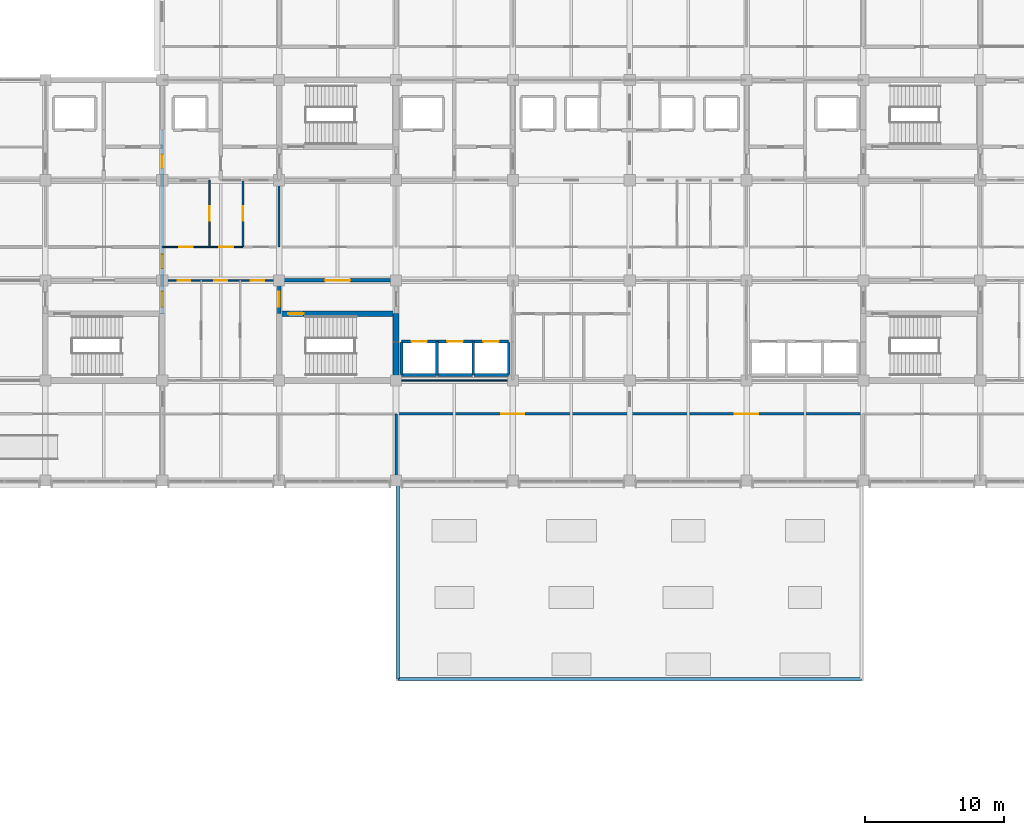
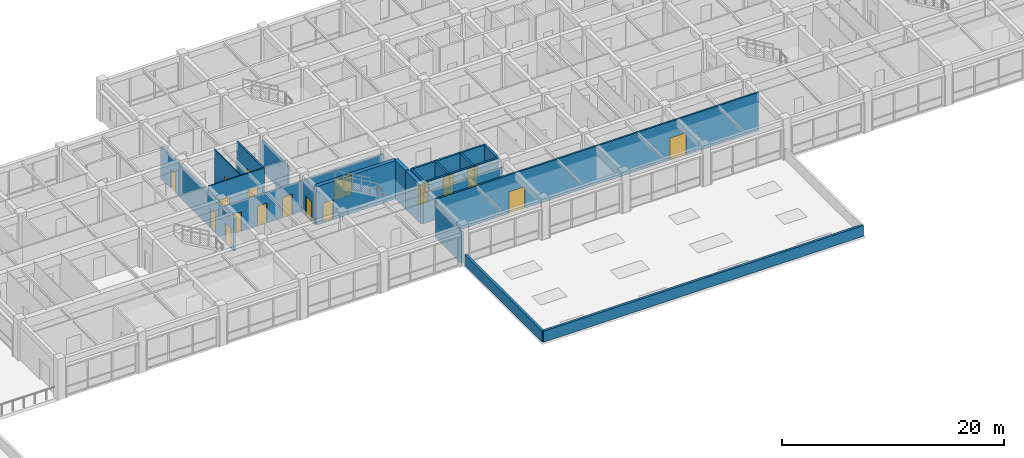
# One storey, part 21 of 40: 24 walls, 18 doors, 18 openings.
"""IFC4 building model written with IfcOpenShell, lengths in metres."""

from ifc_helpers import new_model, si_unit, direction, frame, frame_2d, origin, place, context, subcontext, project, spatial, rectangle, extrude, material, layer, layer_set, type_object, element, fill, save


model = new_model("IFC4")

# Units and contexts
model_context = context("Model", 3, precision=1e-05, world=origin(), true_north=direction((0.0, 1.0)))
body_context = subcontext(model_context, "Body", "Model", "MODEL_VIEW")
ifc_project = project(units=[si_unit("LENGTHUNIT", "METRE"), si_unit("AREAUNIT", "SQUARE_METRE"), si_unit("VOLUMEUNIT", "CUBIC_METRE"), si_unit("PLANEANGLEUNIT", "RADIAN"), si_unit("MASSUNIT", "GRAM", prefix="KILO")], contexts=[model_context])

# Site, building, storey
site_placement = place(None, origin())
site = spatial("IfcSite", under=ifc_project, at=site_placement, CompositionType="ELEMENT")
building_placement = place(site_placement, origin())
building = spatial("IfcBuilding", under=site, at=building_placement, Name="Chengyuan Square Courthouse", CompositionType="ELEMENT")
storey_placement = place(building_placement, frame((0.0, 0.0, 21.60009765625)))
storey = spatial("IfcBuildingStorey", under=building, at=storey_placement, Name="L05", CompositionType="ELEMENT", Elevation=21.60009765625)

# Wall, opening, door
ifc_material_1 = material(Name="Concrete C40", Category="concrete")
ifc_layer_1 = layer(ifc_material_1, 0.25)
ifc_layer_set_1 = layer_set([ifc_layer_1], Name="Concrete C40")
wall_type_1 = type_object("IfcWallType", Name="WL-FW1", PredefinedType="STANDARD", material=ifc_layer_set_1)
wall_1_placement = place(storey_placement, frame((58.800048828125, 93.60009765625, 0.0), z_axis=(0.0, 0.0, 1.0), x_axis=(1.0, 0.0, 0.0)))
wall_1 = element("IfcWall", 1, at=wall_1_placement, inside=storey, type_object=wall_type_1, Name="Interior Wall WL-L05-I2137", PredefinedType="STANDARD", context=body_context, shape_type="SweptSolid", body=[
    extrude(rectangle(XDim=8.39990234375, YDim=0.25, at=frame_2d((4.199951171875, 0.0))), origin(), (0.0, 0.0, 1.0), 3.389892578125),
])
opening_1_placement = place(wall_1_placement, frame((3.300048828125, 0.0, 0.0)))
opening_1 = element("IfcOpeningElement", 2, at=opening_1_placement, cuts=wall_1, Name="Opening DR-1932", PredefinedType="OPENING", context=body_context, shape_type="SweptSolid", body=[
    extrude(rectangle(XDim=1.800048828125, YDim=2.35009765625, at=frame_2d((0.89990234375, 1.175048828125))), frame((0.0, 0.136962890625, 0.0), z_axis=(0.0, -1.0, 0.0), x_axis=(1.0, 0.0, 0.0)), (0.0, 0.0, 1.0), 0.27392578125),
])
ifc_material_2 = material(Name="Steel Q235B Glazed Fire Door", Category="steel")
door_type_1 = type_object("IfcDoorType", Name="DT-18", OperationType="DOUBLE_DOOR_SINGLE_SWING", PredefinedType="DOOR", material=ifc_material_2)
door_1_placement = place(opening_1_placement, frame((1.800048828125, 0.0, 0.0), z_axis=(0.0, 0.0, 1.0), x_axis=(-1.0, 0.0, 0.0)))
door_1 = element("IfcDoor", 3, at=door_1_placement, inside=storey, type_object=door_type_1, Name="Interior Door DR-1932", OperationType="DOUBLE_DOOR_SINGLE_SWING", OverallHeight=2.35009765625, OverallWidth=1.800048828125, PredefinedType="DOOR", context=body_context, shape_type="SweptSolid", body=[
    extrude(rectangle(XDim=1.800048828125, YDim=2.35009765625, at=frame_2d((0.89990234375, 1.175048828125))), frame((0.0, 0.02490234375, 0.0), z_axis=(0.0, -1.0, 0.0), x_axis=(1.0, 0.0, 0.0)), (0.0, 0.0, 1.0), 0.050048828125),
])
fill(opening_1, door_1)

# Wall, openings, doors
wall_2_placement = place(storey_placement, frame((50.39990234375, 91.199951171875, 0.0), z_axis=(0.0, 0.0, 1.0), x_axis=(0.0, 1.0, 0.0)))
wall_2 = element("IfcWall", 4, at=wall_2_placement, inside=storey, type_object=wall_type_1, Name="Interior Wall WL-L05-I2242", PredefinedType="STANDARD", context=body_context, shape_type="SweptSolid", body=[
    extrude(rectangle(XDim=13.199951171875, YDim=0.25, at=frame_2d((6.60009765625, 0.0))), origin(), (0.0, 0.0, 1.0), 3.489990234375),
])
opening_2_placement = place(wall_2_placement, frame((0.489990234375, 0.0, 0.0)))
opening_2 = element("IfcOpeningElement", 5, at=opening_2_placement, cuts=wall_2, Name="Opening DR-1939", PredefinedType="OPENING", context=body_context, shape_type="SweptSolid", body=[
    extrude(rectangle(XDim=1.10009765625, YDim=2.199951171875, at=frame_2d((0.550048828125, 1.10009765625))), frame((0.0, 0.136962890625, 0.0), z_axis=(0.0, -1.0, 0.0), x_axis=(1.0, 0.0, 0.0)), (0.0, 0.0, 1.0), 0.27392578125),
])
opening_3_placement = place(wall_2_placement, frame((10.485107421875, 0.0, 0.0)))
opening_3 = element("IfcOpeningElement", 6, at=opening_3_placement, cuts=wall_2, Name="Opening DR-1956", PredefinedType="OPENING", context=body_context, shape_type="SweptSolid", body=[
    extrude(rectangle(XDim=0.949951171875, YDim=2.14990234375, at=frame_2d((0.47509765625, 1.074951171875))), frame((0.0, 0.136962890625, 0.0), z_axis=(0.0, -1.0, 0.0), x_axis=(1.0, 0.0, 0.0)), (0.0, 0.0, 1.0), 0.27392578125),
])
opening_4_placement = place(wall_2_placement, frame((3.260009765625, 0.0, 0.0)))
opening_4 = element("IfcOpeningElement", 7, at=opening_4_placement, cuts=wall_2, Name="Opening DR-2003", PredefinedType="OPENING", context=body_context, shape_type="SweptSolid", body=[
    extrude(rectangle(XDim=1.0, YDim=2.199951171875, at=frame_2d((0.5, 1.10009765625))), frame((0.0, 0.136962890625, 0.0), z_axis=(0.0, -1.0, 0.0), x_axis=(1.0, 0.0, 0.0)), (0.0, 0.0, 1.0), 0.27392578125),
])
ifc_material_3 = material(Name="Steel Q235B Fire Door", Category="steel")
door_type_2 = type_object("IfcDoorType", Name="DT-10", OperationType="NOTDEFINED", PredefinedType="DOOR", material=ifc_material_3)
door_2_placement = place(opening_2_placement, origin())
door_2 = element("IfcDoor", 8, at=door_2_placement, inside=storey, type_object=door_type_2, Name="Interior Door DR-1939", OperationType="SINGLE_SWING_LEFT", OverallHeight=2.199951171875, OverallWidth=1.10009765625, PredefinedType="DOOR", context=body_context, shape_type="SweptSolid", body=[
    extrude(rectangle(XDim=1.10009765625, YDim=2.199951171875, at=frame_2d((0.550048828125, 1.10009765625))), frame((0.0, 0.02490234375, 0.0), z_axis=(0.0, -1.0, 0.0), x_axis=(1.0, 0.0, 0.0)), (0.0, 0.0, 1.0), 0.050048828125),
])
fill(opening_2, door_2)
door_type_3 = type_object("IfcDoorType", Name="DT-11", OperationType="NOTDEFINED", PredefinedType="DOOR", material=ifc_material_3)
door_3_placement = place(opening_4_placement, origin())
door_3 = element("IfcDoor", 9, at=door_3_placement, inside=storey, type_object=door_type_3, Name="Interior Door DR-2003", OperationType="SINGLE_SWING_RIGHT", OverallHeight=2.199951171875, OverallWidth=1.0, PredefinedType="DOOR", context=body_context, shape_type="SweptSolid", body=[
    extrude(rectangle(XDim=1.0, YDim=2.199951171875, at=frame_2d((0.5, 1.10009765625))), frame((0.0, 0.02490234375, 0.0), z_axis=(0.0, -1.0, 0.0), x_axis=(1.0, 0.0, 0.0)), (0.0, 0.0, 1.0), 0.050048828125),
])
fill(opening_4, door_3)
door_type_4 = type_object("IfcDoorType", Name="DT-12", OperationType="NOTDEFINED", PredefinedType="DOOR", material=ifc_material_3)
door_4_placement = place(opening_3_placement, origin())
door_4 = element("IfcDoor", 10, at=door_4_placement, inside=storey, type_object=door_type_4, Name="Interior Door DR-1956", OperationType="SINGLE_SWING_LEFT", OverallHeight=2.14990234375, OverallWidth=0.949951171875, PredefinedType="DOOR", context=body_context, shape_type="SweptSolid", body=[
    extrude(rectangle(XDim=0.949951171875, YDim=2.14990234375, at=frame_2d((0.47509765625, 1.074951171875))), frame((0.0, 0.02490234375, 0.0), z_axis=(0.0, -1.0, 0.0), x_axis=(1.0, 0.0, 0.0)), (0.0, 0.0, 1.0), 0.050048828125),
])
fill(opening_3, door_4)

# Wall, opening, door
wall_3_placement = place(storey_placement, frame((58.800048828125, 91.199951171875, 0.0), z_axis=(0.0, 0.0, 1.0), x_axis=(0.0, 1.0, 0.0)))
wall_3 = element("IfcWall", 11, at=wall_3_placement, inside=storey, type_object=wall_type_1, Name="Interior Wall WL-L05-I2254", PredefinedType="STANDARD", context=body_context, shape_type="SweptSolid", body=[
    extrude(rectangle(XDim=2.400146484375, YDim=0.25, at=frame_2d((1.2001953125, 0.0))), origin(), (0.0, 0.0, 1.0), 3.489990234375),
])
opening_5_placement = place(wall_3_placement, frame((0.489990234375, 0.0, 0.0)))
opening_5 = element("IfcOpeningElement", 12, at=opening_5_placement, cuts=wall_3, Name="Opening DR-1933", PredefinedType="OPENING", context=body_context, shape_type="SweptSolid", body=[
    extrude(rectangle(XDim=1.10009765625, YDim=2.199951171875, at=frame_2d((0.550048828125, 1.10009765625))), frame((0.0, 0.136962890625, 0.0), z_axis=(0.0, -1.0, 0.0), x_axis=(1.0, 0.0, 0.0)), (0.0, 0.0, 1.0), 0.27392578125),
])
door_5_placement = place(opening_5_placement, origin())
door_5 = element("IfcDoor", 13, at=door_5_placement, inside=storey, type_object=door_type_2, Name="Interior Door DR-1933", OperationType="SINGLE_SWING_LEFT", OverallHeight=2.199951171875, OverallWidth=1.10009765625, PredefinedType="DOOR", context=body_context, shape_type="SweptSolid", body=[
    extrude(rectangle(XDim=1.10009765625, YDim=2.199951171875, at=frame_2d((0.550048828125, 1.10009765625))), frame((0.0, 0.02490234375, 0.0), z_axis=(0.0, -1.0, 0.0), x_axis=(1.0, 0.0, 0.0)), (0.0, 0.0, 1.0), 0.050048828125),
])
fill(opening_5, door_5)

# Walls
ifc_layer_2 = layer(ifc_material_1, 0.239990234375)
ifc_layer_set_2 = layer_set([ifc_layer_2], Name="Concrete C40")
wall_type_2 = type_object("IfcWallType", Name="WL-PR2", PredefinedType="PARAPET", material=ifc_layer_set_2)
wall_4_placement = place(storey_placement, frame((67.340087890625, 64.93994140625, 0.0), z_axis=(0.0, 0.0, 1.0), x_axis=(1.0, 0.0, 0.0)))
element("IfcWall", 14, at=wall_4_placement, inside=storey, type_object=wall_type_2, Name="Roof Parapet Wall PAR-L05-012", PredefinedType="PARAPET", context=body_context, shape_type="SweptSolid", body=[
    extrude(rectangle(XDim=33.31982421875, YDim=0.239990234375, at=frame_2d((16.659912109375, 0.0))), origin(), (0.0, 0.0, 1.0), 1.199951171875),
])
wall_5_placement = place(storey_placement, frame((67.340087890625, 78.89990234375, 0.0), z_axis=(0.0, 0.0, 1.0), x_axis=(0.0, -1.0, 0.0)))
element("IfcWall", 15, at=wall_5_placement, inside=storey, type_object=wall_type_2, Name="Roof Parapet Wall PAR-L05-014", PredefinedType="PARAPET", context=body_context, shape_type="SweptSolid", body=[
    extrude(rectangle(XDim=13.9599609375, YDim=0.239990234375, at=frame_2d((6.97998046875, 0.0))), origin(), (0.0, 0.0, 1.0), 1.199951171875),
])

# Wall, openings, doors
ifc_material_4 = material(Name="Double-Stud Acoustic Gypsum Courtroom Partition")
ifc_layer_3 = layer(ifc_material_4, 0.179931640625)
ifc_layer_set_3 = layer_set([ifc_layer_3], Name="Double-Stud Acoustic Gypsum Courtroom Partition")
wall_type_3 = type_object("IfcWallType", Name="WL-PT1", PredefinedType="STANDARD", material=ifc_layer_set_3)
wall_6_placement = place(storey_placement, frame((67.199951171875, 84.0, 0.0), z_axis=(0.0, 0.0, 1.0), x_axis=(1.0, 0.0, 0.0)))
wall_6 = element("IfcWall", 16, at=wall_6_placement, inside=storey, type_object=wall_type_3, Name="Interior Wall WL-L05-I2105", PredefinedType="STANDARD", context=body_context, shape_type="SweptSolid", body=[
    extrude(rectangle(XDim=33.60009765625, YDim=0.179931640625, at=frame_2d((16.800048828125, 0.0))), origin(), (0.0, 0.0, 1.0), 4.239990234375),
])
opening_6_placement = place(wall_6_placement, frame((7.574951171875, 0.0, 0.0)))
opening_6 = element("IfcOpeningElement", 17, at=opening_6_placement, cuts=wall_6, Name="Opening DR-2102", PredefinedType="OPENING", context=body_context, shape_type="SweptSolid", body=[
    extrude(rectangle(XDim=1.64990234375, YDim=2.39990234375, at=frame_2d((0.824951171875, 1.199951171875))), frame((0.0, 0.10205078125, 0.0), z_axis=(0.0, -1.0, 0.0), x_axis=(1.0, 0.0, 0.0)), (0.0, 0.0, 1.0), 0.203857421875),
])
opening_7_placement = place(wall_6_placement, frame((24.35009765625, 0.0, 0.0)))
opening_7 = element("IfcOpeningElement", 18, at=opening_7_placement, cuts=wall_6, Name="Opening DR-2104", PredefinedType="OPENING", context=body_context, shape_type="SweptSolid", body=[
    extrude(rectangle(XDim=1.699951171875, YDim=2.449951171875, at=frame_2d((0.85009765625, 1.22509765625))), frame((0.0, 0.10205078125, 0.0), z_axis=(0.0, -1.0, 0.0), x_axis=(1.0, 0.0, 0.0)), (0.0, 0.0, 1.0), 0.203857421875),
])
ifc_material_5 = material(Name="Acoustic Larch Veneer Double Door")
door_type_5 = type_object("IfcDoorType", Name="DT-22", OperationType="DOUBLE_DOOR_SINGLE_SWING", PredefinedType="DOOR", material=ifc_material_5)
door_6_placement = place(opening_6_placement, frame((1.64990234375, 0.0, 0.0), z_axis=(0.0, 0.0, 1.0), x_axis=(-1.0, 0.0, 0.0)))
door_6 = element("IfcDoor", 19, at=door_6_placement, inside=storey, type_object=door_type_5, Name="Interior Door DR-2102", OperationType="DOUBLE_DOOR_SINGLE_SWING", OverallHeight=2.39990234375, OverallWidth=1.64990234375, PredefinedType="DOOR", context=body_context, shape_type="SweptSolid", body=[
    extrude(rectangle(XDim=1.64990234375, YDim=2.39990234375, at=frame_2d((0.824951171875, 1.199951171875))), frame((0.0, 0.02490234375, 0.0), z_axis=(0.0, -1.0, 0.0), x_axis=(1.0, 0.0, 0.0)), (0.0, 0.0, 1.0), 0.050048828125),
])
fill(opening_6, door_6)
door_type_6 = type_object("IfcDoorType", Name="DT-24", OperationType="DOUBLE_DOOR_SINGLE_SWING", PredefinedType="DOOR", material=ifc_material_5)
door_7_placement = place(opening_7_placement, frame((1.699951171875, 0.0, 0.0), z_axis=(0.0, 0.0, 1.0), x_axis=(-1.0, 0.0, 0.0)))
door_7 = element("IfcDoor", 20, at=door_7_placement, inside=storey, type_object=door_type_6, Name="Interior Door DR-2104", OperationType="DOUBLE_DOOR_SINGLE_SWING", OverallHeight=2.449951171875, OverallWidth=1.699951171875, PredefinedType="DOOR", context=body_context, shape_type="SweptSolid", body=[
    extrude(rectangle(XDim=1.699951171875, YDim=2.449951171875, at=frame_2d((0.85009765625, 1.22509765625))), frame((0.0, 0.02490234375, 0.0), z_axis=(0.0, -1.0, 0.0), x_axis=(1.0, 0.0, 0.0)), (0.0, 0.0, 1.0), 0.050048828125),
])
fill(opening_7, door_7)

# Wall
wall_7_placement = place(storey_placement, frame((67.199951171875, 79.239990234375, 0.0), z_axis=(0.0, 0.0, 1.0), x_axis=(0.0, 1.0, 0.0)))
element("IfcWall", 21, at=wall_7_placement, inside=storey, type_object=wall_type_3, Name="Interior Wall WL-L05-I2259", PredefinedType="STANDARD", context=body_context, shape_type="SweptSolid", body=[
    extrude(rectangle(XDim=4.760009765625, YDim=0.179931640625, at=frame_2d((2.3798828125, 0.0))), origin(), (0.0, 0.0, 1.0), 3.489990234375),
])

# Wall, opening, door
ifc_material_6 = material(Name="Deliberation Room Sound-Insulated Partition")
ifc_layer_4 = layer(ifc_material_6, 0.14990234375)
ifc_layer_set_4 = layer_set([ifc_layer_4], Name="Deliberation Room Sound-Insulated Partition")
wall_type_4 = type_object("IfcWallType", Name="WL-PT3", PredefinedType="STANDARD", material=ifc_layer_set_4)
wall_8_placement = place(storey_placement, frame((56.199951171875, 96.0, 0.0), z_axis=(0.0, 0.0, 1.0), x_axis=(0.0, 1.0, 0.0)))
wall_8 = element("IfcWall", 22, at=wall_8_placement, inside=storey, type_object=wall_type_4, Name="Interior Wall WL-L05-I2251", PredefinedType="STANDARD", context=body_context, shape_type="SweptSolid", body=[
    extrude(rectangle(XDim=4.800048828125, YDim=0.14990234375, at=frame_2d((2.39990234375, 0.0))), origin(), (0.0, 0.0, 1.0), 4.239990234375),
])
opening_8_placement = place(wall_8_placement, frame((1.8701171875, 0.0, 0.0)))
opening_8 = element("IfcOpeningElement", 23, at=opening_8_placement, cuts=wall_8, Name="Opening DR-2050", PredefinedType="OPENING", context=body_context, shape_type="SweptSolid", body=[
    extrude(rectangle(XDim=1.06005859375, YDim=2.39990234375, at=frame_2d((0.530029296875, 1.199951171875))), frame((0.0, 0.0869140625, 0.0), z_axis=(0.0, -1.0, 0.0), x_axis=(1.0, 0.0, 0.0)), (0.0, 0.0, 1.0), 0.173828125),
])
ifc_material_7 = material(Name="Acoustic Solid-Core Timber Door", Category="wood")
door_type_7 = type_object("IfcDoorType", Name="DT-42", OperationType="NOTDEFINED", PredefinedType="DOOR", material=ifc_material_7)
door_8_placement = place(opening_8_placement, origin())
door_8 = element("IfcDoor", 24, at=door_8_placement, inside=storey, type_object=door_type_7, Name="Interior Door DR-2050", OperationType="SINGLE_SWING_LEFT", OverallHeight=2.39990234375, OverallWidth=1.06005859375, PredefinedType="DOOR", context=body_context, shape_type="SweptSolid", body=[
    extrude(rectangle(XDim=1.06005859375, YDim=2.39990234375, at=frame_2d((0.530029296875, 1.199951171875))), frame((0.0, 0.02490234375, 0.0), z_axis=(0.0, -1.0, 0.0), x_axis=(1.0, 0.0, 0.0)), (0.0, 0.0, 1.0), 0.050048828125),
])
fill(opening_8, door_8)

# Walls
wall_9_placement = place(storey_placement, frame((58.800048828125, 96.0, 0.0), z_axis=(0.0, 0.0, 1.0), x_axis=(0.0, 1.0, 0.0)))
element("IfcWall", 25, at=wall_9_placement, inside=storey, type_object=wall_type_4, Name="Interior Wall WL-L05-I2255", PredefinedType="STANDARD", context=body_context, shape_type="SweptSolid", body=[
    extrude(rectangle(XDim=4.800048828125, YDim=0.14990234375, at=frame_2d((2.39990234375, 0.0))), origin(), (0.0, 0.0, 1.0), 3.489990234375),
])
ifc_material_8 = material(Name="Gypsum Plasterboard Acoustic Stud Partition")
ifc_layer_5 = layer(ifc_material_8, 0.10009765625)
ifc_layer_set_5 = layer_set([ifc_layer_5], Name="Gypsum Plasterboard Acoustic Stud Partition")
wall_type_5 = type_object("IfcWallType", Name="WL-PT6", PredefinedType="STANDARD", material=ifc_layer_set_5)
wall_10_placement = place(storey_placement, frame((67.25, 86.39990234375, 0.0), z_axis=(0.0, 0.0, 1.0), x_axis=(1.0, 0.0, 0.0)))
element("IfcWall", 26, at=wall_10_placement, inside=storey, type_object=wall_type_5, Name="Interior Wall WL-L05-I2113", PredefinedType="STANDARD", context=body_context, shape_type="SweptSolid", body=[
    extrude(rectangle(XDim=8.300048828125, YDim=0.10009765625, at=frame_2d((4.14990234375, 0.0))), origin(), (0.0, 0.0, 1.0), 3.389892578125),
])

# Wall, openings, doors
wall_11_placement = place(storey_placement, frame((50.39990234375, 93.60009765625, 0.0), z_axis=(0.0, 0.0, 1.0), x_axis=(1.0, 0.0, 0.0)))
wall_11 = element("IfcWall", 27, at=wall_11_placement, inside=storey, type_object=wall_type_5, Name="Interior Wall WL-L05-I2136", PredefinedType="STANDARD", context=body_context, shape_type="SweptSolid", body=[
    extrude(rectangle(XDim=8.400146484375, YDim=0.10009765625, at=frame_2d((4.2001953125, 0.0))), origin(), (0.0, 0.0, 1.0), 3.389892578125),
])
opening_9_placement = place(wall_11_placement, frame((1.10009765625, 0.0, 0.0)))
opening_9 = element("IfcOpeningElement", 28, at=opening_9_placement, cuts=wall_11, Name="Opening DR-2020", PredefinedType="OPENING", context=body_context, shape_type="SweptSolid", body=[
    extrude(rectangle(XDim=0.919921875, YDim=2.14990234375, at=frame_2d((0.4599609375, 1.074951171875))), frame((0.0, 0.06201171875, 0.0), z_axis=(0.0, -1.0, 0.0), x_axis=(1.0, 0.0, 0.0)), (0.0, 0.0, 1.0), 0.1240234375),
])
opening_10_placement = place(wall_11_placement, frame((3.719970703125, 0.0, 0.0)))
opening_10 = element("IfcOpeningElement", 29, at=opening_10_placement, cuts=wall_11, Name="Opening DR-2021", PredefinedType="OPENING", context=body_context, shape_type="SweptSolid", body=[
    extrude(rectangle(XDim=0.9599609375, YDim=2.199951171875, at=frame_2d((0.47998046875, 1.10009765625))), frame((0.0, 0.06201171875, 0.0), z_axis=(0.0, -1.0, 0.0), x_axis=(1.0, 0.0, 0.0)), (0.0, 0.0, 1.0), 0.1240234375),
])
opening_11_placement = place(wall_11_placement, frame((6.340087890625, 0.0, 0.0)))
opening_11 = element("IfcOpeningElement", 30, at=opening_11_placement, cuts=wall_11, Name="Opening DR-2022", PredefinedType="OPENING", context=body_context, shape_type="SweptSolid", body=[
    extrude(rectangle(XDim=1.0, YDim=2.25, at=frame_2d((0.5, 1.125))), frame((0.0, 0.06201171875, 0.0), z_axis=(0.0, -1.0, 0.0), x_axis=(1.0, 0.0, 0.0)), (0.0, 0.0, 1.0), 0.1240234375),
])
door_type_8 = type_object("IfcDoorType", Name="DT-29", OperationType="NOTDEFINED", PredefinedType="DOOR", material=ifc_material_7)
door_9_placement = place(opening_9_placement, origin())
door_9 = element("IfcDoor", 31, at=door_9_placement, inside=storey, type_object=door_type_8, Name="Interior Door DR-2020", OperationType="SINGLE_SWING_RIGHT", OverallHeight=2.14990234375, OverallWidth=0.919921875, PredefinedType="DOOR", context=body_context, shape_type="SweptSolid", body=[
    extrude(rectangle(XDim=0.919921875, YDim=2.14990234375, at=frame_2d((0.4599609375, 1.074951171875))), frame((0.0, 0.02490234375, 0.0), z_axis=(0.0, -1.0, 0.0), x_axis=(1.0, 0.0, 0.0)), (0.0, 0.0, 1.0), 0.050048828125),
])
fill(opening_9, door_9)
door_type_9 = type_object("IfcDoorType", Name="DT-30", OperationType="NOTDEFINED", PredefinedType="DOOR", material=ifc_material_7)
door_10_placement = place(opening_10_placement, origin())
door_10 = element("IfcDoor", 32, at=door_10_placement, inside=storey, type_object=door_type_9, Name="Interior Door DR-2021", OperationType="SINGLE_SWING_LEFT", OverallHeight=2.199951171875, OverallWidth=0.9599609375, PredefinedType="DOOR", context=body_context, shape_type="SweptSolid", body=[
    extrude(rectangle(XDim=0.9599609375, YDim=2.199951171875, at=frame_2d((0.47998046875, 1.10009765625))), frame((0.0, 0.02490234375, 0.0), z_axis=(0.0, -1.0, 0.0), x_axis=(1.0, 0.0, 0.0)), (0.0, 0.0, 1.0), 0.050048828125),
])
fill(opening_10, door_10)
door_type_10 = type_object("IfcDoorType", Name="DT-31", OperationType="NOTDEFINED", PredefinedType="DOOR", material=ifc_material_7)
door_11_placement = place(opening_11_placement, origin())
door_11 = element("IfcDoor", 33, at=door_11_placement, inside=storey, type_object=door_type_10, Name="Interior Door DR-2022", OperationType="SINGLE_SWING_RIGHT", OverallHeight=2.25, OverallWidth=1.0, PredefinedType="DOOR", context=body_context, shape_type="SweptSolid", body=[
    extrude(rectangle(XDim=1.0, YDim=2.25, at=frame_2d((0.5, 1.125))), frame((0.0, 0.02490234375, 0.0), z_axis=(0.0, -1.0, 0.0), x_axis=(1.0, 0.0, 0.0)), (0.0, 0.0, 1.0), 0.050048828125),
])
fill(opening_11, door_11)

wall_12_placement = place(storey_placement, frame((50.39990234375, 96.0, 0.0), z_axis=(0.0, 0.0, 1.0), x_axis=(1.0, 0.0, 0.0)))
wall_12 = element("IfcWall", 34, at=wall_12_placement, inside=storey, type_object=wall_type_5, Name="Interior Wall WL-L05-I2145", PredefinedType="STANDARD", context=body_context, shape_type="SweptSolid", body=[
    extrude(rectangle(XDim=5.800048828125, YDim=0.10009765625, at=frame_2d((2.89990234375, 0.0))), origin(), (0.0, 0.0, 1.0), 4.239990234375),
])
opening_12_placement = place(wall_12_placement, frame((1.2099609375, 0.0, 0.0)))
opening_12 = element("IfcOpeningElement", 35, at=opening_12_placement, cuts=wall_12, Name="Opening DR-2014", PredefinedType="OPENING", context=body_context, shape_type="SweptSolid", body=[
    extrude(rectangle(XDim=0.97998046875, YDim=2.35009765625, at=frame_2d((0.489990234375, 1.175048828125))), frame((0.0, 0.06201171875, 0.0), z_axis=(0.0, -1.0, 0.0), x_axis=(1.0, 0.0, 0.0)), (0.0, 0.0, 1.0), 0.1240234375),
])
opening_13_placement = place(wall_12_placement, frame((4.090087890625, 0.0, 0.0)))
opening_13 = element("IfcOpeningElement", 36, at=opening_13_placement, cuts=wall_12, Name="Opening DR-2015", PredefinedType="OPENING", context=body_context, shape_type="SweptSolid", body=[
    extrude(rectangle(XDim=1.02001953125, YDim=2.39990234375, at=frame_2d((0.510009765625, 1.199951171875))), frame((0.0, 0.06201171875, 0.0), z_axis=(0.0, -1.0, 0.0), x_axis=(1.0, 0.0, 0.0)), (0.0, 0.0, 1.0), 0.1240234375),
])
door_type_11 = type_object("IfcDoorType", Name="DT-40", OperationType="NOTDEFINED", PredefinedType="DOOR", material=ifc_material_7)
door_12_placement = place(opening_12_placement, origin())
door_12 = element("IfcDoor", 37, at=door_12_placement, inside=storey, type_object=door_type_11, Name="Interior Door DR-2014", OperationType="SINGLE_SWING_RIGHT", OverallHeight=2.35009765625, OverallWidth=0.97998046875, PredefinedType="DOOR", context=body_context, shape_type="SweptSolid", body=[
    extrude(rectangle(XDim=0.97998046875, YDim=2.35009765625, at=frame_2d((0.489990234375, 1.175048828125))), frame((0.0, 0.02490234375, 0.0), z_axis=(0.0, -1.0, 0.0), x_axis=(1.0, 0.0, 0.0)), (0.0, 0.0, 1.0), 0.050048828125),
])
fill(opening_12, door_12)
door_type_12 = type_object("IfcDoorType", Name="DT-41", OperationType="NOTDEFINED", PredefinedType="DOOR", material=ifc_material_7)
door_13_placement = place(opening_13_placement, origin())
door_13 = element("IfcDoor", 38, at=door_13_placement, inside=storey, type_object=door_type_12, Name="Interior Door DR-2015", OperationType="SINGLE_SWING_LEFT", OverallHeight=2.39990234375, OverallWidth=1.02001953125, PredefinedType="DOOR", context=body_context, shape_type="SweptSolid", body=[
    extrude(rectangle(XDim=1.02001953125, YDim=2.39990234375, at=frame_2d((0.510009765625, 1.199951171875))), frame((0.0, 0.02490234375, 0.0), z_axis=(0.0, -1.0, 0.0), x_axis=(1.0, 0.0, 0.0)), (0.0, 0.0, 1.0), 0.050048828125),
])
fill(opening_13, door_13)

# Wall, opening, door
wall_13_placement = place(storey_placement, frame((53.800048828125, 96.0, 0.0), z_axis=(0.0, 0.0, 1.0), x_axis=(0.0, 1.0, 0.0)))
wall_13 = element("IfcWall", 39, at=wall_13_placement, inside=storey, type_object=wall_type_5, Name="Interior Wall WL-L05-I2247", PredefinedType="STANDARD", context=body_context, shape_type="SweptSolid", body=[
    extrude(rectangle(XDim=4.800048828125, YDim=0.10009765625, at=frame_2d((2.39990234375, 0.0))), origin(), (0.0, 0.0, 1.0), 4.239990234375),
])
opening_14_placement = place(wall_13_placement, frame((1.889892578125, 0.0, 0.0)))
opening_14 = element("IfcOpeningElement", 40, at=opening_14_placement, cuts=wall_13, Name="Opening DR-2049", PredefinedType="OPENING", context=body_context, shape_type="SweptSolid", body=[
    extrude(rectangle(XDim=1.02001953125, YDim=2.39990234375, at=frame_2d((0.510009765625, 1.199951171875))), frame((0.0, 0.06201171875, 0.0), z_axis=(0.0, -1.0, 0.0), x_axis=(1.0, 0.0, 0.0)), (0.0, 0.0, 1.0), 0.1240234375),
])
door_14_placement = place(opening_14_placement, origin())
door_14 = element("IfcDoor", 41, at=door_14_placement, inside=storey, type_object=door_type_12, Name="Interior Door DR-2049", OperationType="SINGLE_SWING_RIGHT", OverallHeight=2.39990234375, OverallWidth=1.02001953125, PredefinedType="DOOR", context=body_context, shape_type="SweptSolid", body=[
    extrude(rectangle(XDim=1.02001953125, YDim=2.39990234375, at=frame_2d((0.510009765625, 1.199951171875))), frame((0.0, 0.02490234375, 0.0), z_axis=(0.0, -1.0, 0.0), x_axis=(1.0, 0.0, 0.0)), (0.0, 0.0, 1.0), 0.050048828125),
])
fill(opening_14, door_14)

# Walls
ifc_material_9 = material(Name="Reinforced Masonry Shaft Enclosure", Category="masonry")
ifc_layer_6 = layer(ifc_material_9, 0.199951171875)
ifc_layer_set_6 = layer_set([ifc_layer_6], Name="Reinforced Masonry Shaft Enclosure")
wall_type_6 = type_object("IfcWallType", Name="WL-SH1", PredefinedType="STANDARD", material=ifc_layer_set_6)
for number, where, z_axis, x_axis, name in (
    (42, (67.60009765625, 86.800048828125, 0.0), (0.0, 0.0, 1.0), (1.0, 0.0, 0.0), "Interior Wall WL-L05-I2121"),
    (43, (70.199951171875, 86.800048828125, 0.0), (0.0, 0.0, 1.0), (1.0, 0.0, 0.0), "Interior Wall WL-L05-I2122"),
    (44, (72.800048828125, 86.800048828125, 0.0), (0.0, 0.0, 1.0), (1.0, 0.0, 0.0), "Interior Wall WL-L05-I2123"),
):
    element("IfcWall", number, at=place(storey_placement, frame(where, z_axis=z_axis, x_axis=x_axis)), inside=storey, type_object=wall_type_6, Name=name, PredefinedType="STANDARD", context=body_context, shape_type="SweptSolid", body=[
        extrude(rectangle(XDim=2.5, YDim=0.199951171875, at=frame_2d((1.25, 0.0))), origin(), (0.0, 0.0, 1.0), 4.239990234375),
    ])

# Wall, openings, doors
wall_14_placement = place(storey_placement, frame((67.60009765625, 89.199951171875, 0.0), z_axis=(0.0, 0.0, 1.0), x_axis=(1.0, 0.0, 0.0)))
wall_14 = element("IfcWall", 45, at=wall_14_placement, inside=storey, type_object=wall_type_6, Name="Interior Wall WL-L05-I2127", PredefinedType="STANDARD", context=body_context, shape_type="SweptSolid", body=[
    extrude(rectangle(XDim=7.699951171875, YDim=0.199951171875, at=frame_2d((3.85009765625, 0.0))), origin(), (0.0, 0.0, 1.0), 4.239990234375),
])
opening_15_placement = place(wall_14_placement, frame((0.72509765625, 0.0, 0.0)))
opening_15 = element("IfcOpeningElement", 46, at=opening_15_placement, cuts=wall_14, Name="Opening LD-093", PredefinedType="OPENING", context=body_context, shape_type="SweptSolid", body=[
    extrude(rectangle(XDim=1.10009765625, YDim=2.14990234375, at=frame_2d((0.550048828125, 1.074951171875))), frame((0.0, 0.112060546875, 0.0), z_axis=(0.0, -1.0, 0.0), x_axis=(1.0, 0.0, 0.0)), (0.0, 0.0, 1.0), 0.223876953125),
])
opening_16_placement = place(wall_14_placement, frame((3.300048828125, 0.0, 0.0)))
opening_16 = element("IfcOpeningElement", 47, at=opening_16_placement, cuts=wall_14, Name="Opening LD-094", PredefinedType="OPENING", context=body_context, shape_type="SweptSolid", body=[
    extrude(rectangle(XDim=1.10009765625, YDim=2.14990234375, at=frame_2d((0.550048828125, 1.074951171875))), frame((0.0, 0.112060546875, 0.0), z_axis=(0.0, -1.0, 0.0), x_axis=(1.0, 0.0, 0.0)), (0.0, 0.0, 1.0), 0.223876953125),
])
opening_17_placement = place(wall_14_placement, frame((5.875, 0.0, 0.0)))
opening_17 = element("IfcOpeningElement", 48, at=opening_17_placement, cuts=wall_14, Name="Opening LD-095", PredefinedType="OPENING", context=body_context, shape_type="SweptSolid", body=[
    extrude(rectangle(XDim=1.10009765625, YDim=2.14990234375, at=frame_2d((0.550048828125, 1.074951171875))), frame((0.0, 0.112060546875, 0.0), z_axis=(0.0, -1.0, 0.0), x_axis=(1.0, 0.0, 0.0)), (0.0, 0.0, 1.0), 0.223876953125),
])
ifc_material_10 = material(Name="Stainless Steel S30408 Lift Landing Door", Category="steel")
door_type_13 = type_object("IfcDoorType", Name="DT-06", OperationType="DOUBLE_DOOR_SLIDING", PredefinedType="DOOR", material=ifc_material_10)
door_15_placement = place(opening_15_placement, origin())
door_15 = element("IfcDoor", 49, at=door_15_placement, inside=storey, type_object=door_type_13, Name="Lift Landing Door LF-P1 L05", OperationType="DOUBLE_DOOR_SLIDING", OverallHeight=2.14990234375, OverallWidth=1.10009765625, PredefinedType="DOOR", context=body_context, shape_type="SweptSolid", body=[
    extrude(rectangle(XDim=1.10009765625, YDim=2.14990234375, at=frame_2d((0.550048828125, 1.074951171875))), frame((0.0, 0.02490234375, 0.0), z_axis=(0.0, -1.0, 0.0), x_axis=(1.0, 0.0, 0.0)), (0.0, 0.0, 1.0), 0.050048828125),
])
fill(opening_15, door_15)
door_16_placement = place(opening_16_placement, origin())
door_16 = element("IfcDoor", 50, at=door_16_placement, inside=storey, type_object=door_type_13, Name="Lift Landing Door LF-P2 L05", OperationType="DOUBLE_DOOR_SLIDING", OverallHeight=2.14990234375, OverallWidth=1.10009765625, PredefinedType="DOOR", context=body_context, shape_type="SweptSolid", body=[
    extrude(rectangle(XDim=1.10009765625, YDim=2.14990234375, at=frame_2d((0.550048828125, 1.074951171875))), frame((0.0, 0.02490234375, 0.0), z_axis=(0.0, -1.0, 0.0), x_axis=(1.0, 0.0, 0.0)), (0.0, 0.0, 1.0), 0.050048828125),
])
fill(opening_16, door_16)
door_17_placement = place(opening_17_placement, origin())
door_17 = element("IfcDoor", 51, at=door_17_placement, inside=storey, type_object=door_type_13, Name="Lift Landing Door LF-P3 L05", OperationType="DOUBLE_DOOR_SLIDING", OverallHeight=2.14990234375, OverallWidth=1.10009765625, PredefinedType="DOOR", context=body_context, shape_type="SweptSolid", body=[
    extrude(rectangle(XDim=1.10009765625, YDim=2.14990234375, at=frame_2d((0.550048828125, 1.074951171875))), frame((0.0, 0.02490234375, 0.0), z_axis=(0.0, -1.0, 0.0), x_axis=(1.0, 0.0, 0.0)), (0.0, 0.0, 1.0), 0.050048828125),
])
fill(opening_17, door_17)

# Walls
wall_15_placement = place(storey_placement, frame((67.60009765625, 86.85009765625, 0.0), z_axis=(0.0, 0.0, 1.0), x_axis=(0.0, 1.0, 0.0)))
element("IfcWall", 52, at=wall_15_placement, inside=storey, type_object=wall_type_6, Name="Interior Wall WL-L05-I2268", PredefinedType="STANDARD", context=body_context, shape_type="SweptSolid", body=[
    extrude(rectangle(XDim=2.2998046875, YDim=0.199951171875, at=frame_2d((1.14990234375, 0.0))), origin(), (0.0, 0.0, 1.0), 4.239990234375),
])
for number, where, z_axis, x_axis, name in (
    (53, (70.14990234375, 86.800048828125, 0.0), (0.0, 0.0, 1.0), (0.0, 1.0, 0.0), "Interior Wall WL-L05-I2270"),
    (54, (72.75, 86.800048828125, 0.0), (0.0, 0.0, 1.0), (0.0, 1.0, 0.0), "Interior Wall WL-L05-I2274"),
):
    element("IfcWall", number, at=place(storey_placement, frame(where, z_axis=z_axis, x_axis=x_axis)), inside=storey, type_object=wall_type_6, Name=name, PredefinedType="STANDARD", context=body_context, shape_type="SweptSolid", body=[
        extrude(rectangle(XDim=2.39990234375, YDim=0.199951171875, at=frame_2d((1.199951171875, 0.0))), origin(), (0.0, 0.0, 1.0), 4.239990234375),
    ])
wall_16_placement = place(storey_placement, frame((75.300048828125, 86.85009765625, 0.0), z_axis=(0.0, 0.0, 1.0), x_axis=(0.0, 1.0, 0.0)))
element("IfcWall", 55, at=wall_16_placement, inside=storey, type_object=wall_type_6, Name="Interior Wall WL-L05-I2275", PredefinedType="STANDARD", context=body_context, shape_type="SweptSolid", body=[
    extrude(rectangle(XDim=2.2998046875, YDim=0.199951171875, at=frame_2d((1.14990234375, 0.0))), origin(), (0.0, 0.0, 1.0), 4.239990234375),
])

# Wall, opening, door
ifc_material_11 = material(Name="Concrete C50", Category="concrete")
ifc_layer_7 = layer(ifc_material_11, 0.39990234375)
ifc_layer_set_7 = layer_set([ifc_layer_7], Name="Concrete C50")
wall_type_7 = type_object("IfcWallType", Name="WL-SW1", PredefinedType="SHEAR", material=ifc_layer_set_7)
wall_17_placement = place(storey_placement, frame((58.800048828125, 91.199951171875, 0.0), z_axis=(0.0, 0.0, 1.0), x_axis=(1.0, 0.0, 0.0)))
wall_17 = element("IfcWall", 56, at=wall_17_placement, inside=storey, type_object=wall_type_7, Name="Interior Wall WL-L05-I2130", PredefinedType="SHEAR", context=body_context, shape_type="SweptSolid", body=[
    extrude(rectangle(XDim=8.39990234375, YDim=0.39990234375, at=frame_2d((4.199951171875, 0.0))), origin(), (0.0, 0.0, 1.0), 4.239990234375),
])
opening_18_placement = place(wall_17_placement, frame((0.64990234375, 0.0, 0.0)))
opening_18 = element("IfcOpeningElement", 57, at=opening_18_placement, cuts=wall_17, Name="Opening DR-1921", PredefinedType="OPENING", context=body_context, shape_type="SweptSolid", body=[
    extrude(rectangle(XDim=1.10009765625, YDim=2.199951171875, at=frame_2d((0.550048828125, 1.10009765625))), frame((0.0, 0.2119140625, 0.0), z_axis=(0.0, -1.0, 0.0), x_axis=(1.0, 0.0, 0.0)), (0.0, 0.0, 1.0), 0.423828125),
])
door_18_placement = place(opening_18_placement, frame((1.10009765625, 0.0, 0.0), z_axis=(0.0, 0.0, 1.0), x_axis=(-1.0, 0.0, 0.0)))
door_18 = element("IfcDoor", 58, at=door_18_placement, inside=storey, type_object=door_type_2, Name="Smoke-Proof Stairwell Fire Door ST-3 DR-1921", OperationType="SINGLE_SWING_RIGHT", OverallHeight=2.199951171875, OverallWidth=1.10009765625, PredefinedType="DOOR", context=body_context, shape_type="SweptSolid", body=[
    extrude(rectangle(XDim=1.10009765625, YDim=2.199951171875, at=frame_2d((0.550048828125, 1.10009765625))), frame((0.0, 0.02490234375, 0.0), z_axis=(0.0, -1.0, 0.0), x_axis=(1.0, 0.0, 0.0)), (0.0, 0.0, 1.0), 0.050048828125),
])
fill(opening_18, door_18)

# Walls
wall_18_placement = place(storey_placement, frame((67.199951171875, 86.449951171875, 0.0), z_axis=(0.0, 0.0, 1.0), x_axis=(0.0, 1.0, 0.0)))
element("IfcWall", 59, at=wall_18_placement, inside=storey, type_object=wall_type_7, Name="Interior Wall WL-L05-I2260", PredefinedType="SHEAR", context=body_context, shape_type="SweptSolid", body=[
    extrude(rectangle(XDim=2.699951171875, YDim=0.39990234375, at=frame_2d((1.35009765625, 0.0))), origin(), (0.0, 0.0, 1.0), 4.239990234375),
])
wall_19_placement = place(storey_placement, frame((67.199951171875, 89.199951171875, 0.0), z_axis=(0.0, 0.0, 1.0), x_axis=(0.0, 1.0, 0.0)))
element("IfcWall", 60, at=wall_19_placement, inside=storey, type_object=wall_type_7, Name="Interior Wall WL-L05-I2261", PredefinedType="SHEAR", context=body_context, shape_type="SweptSolid", body=[
    extrude(rectangle(XDim=2.0, YDim=0.39990234375, at=frame_2d((1.0, 0.0))), origin(), (0.0, 0.0, 1.0), 4.239990234375),
])

save(model, "model.ifc")
